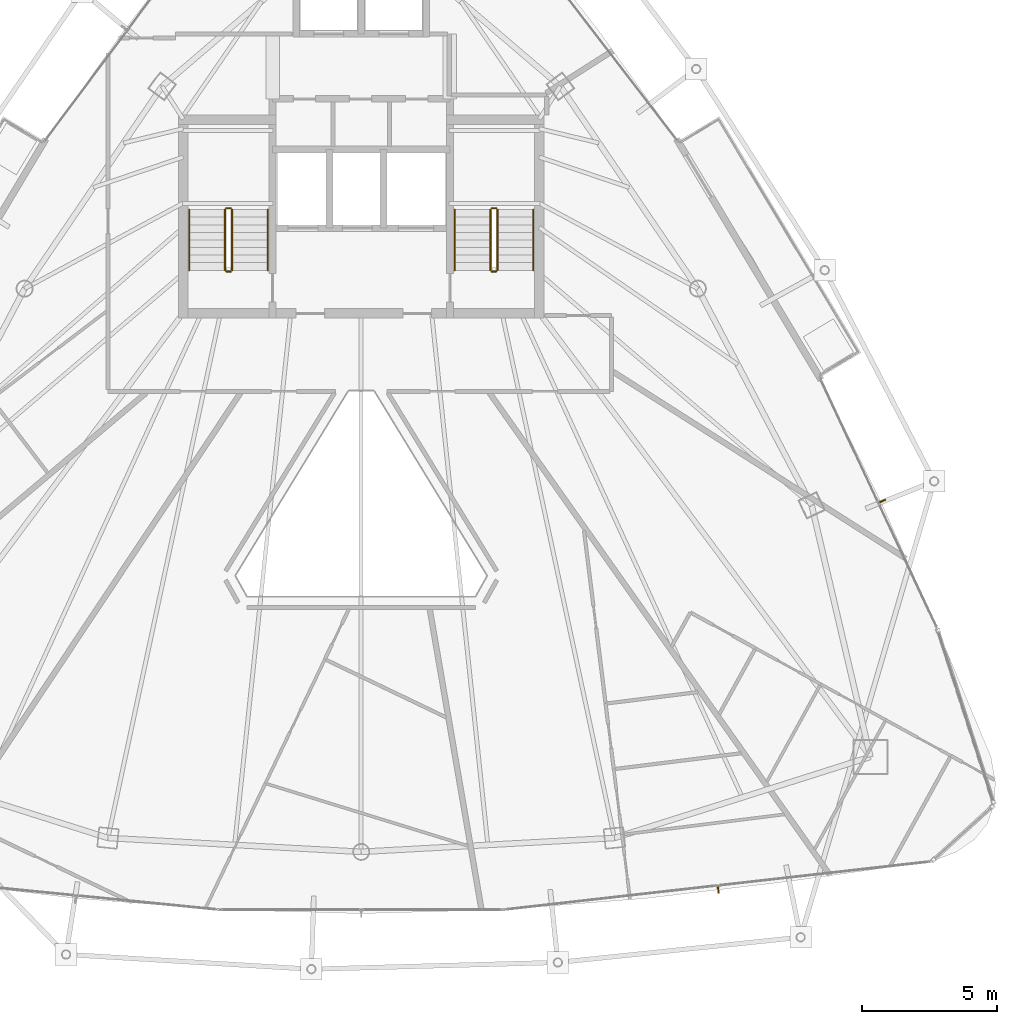
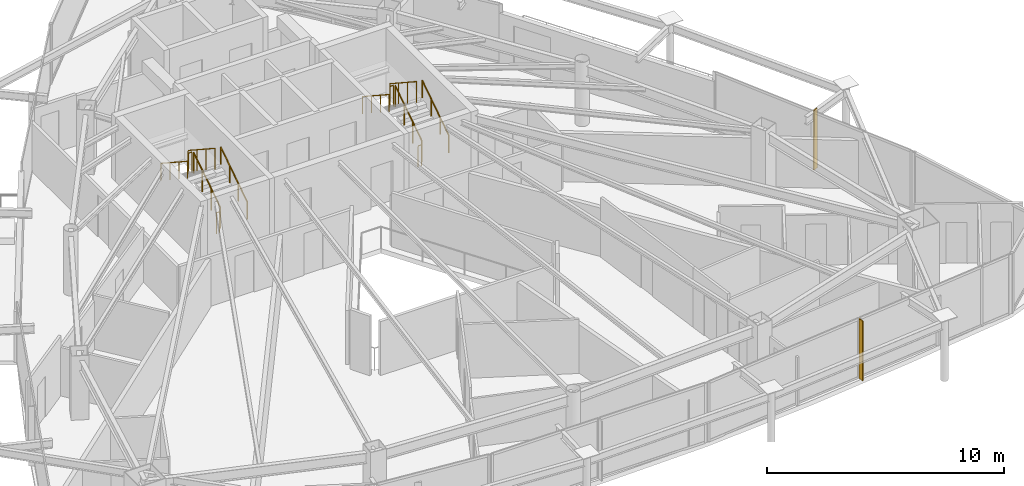
# One storey, part 32 of 33: 12 railings, 2 shading devices.
"""IFC4 building model written with IfcOpenShell, lengths in metres."""

import ifcopenshell
import ifcopenshell.guid

model = None  # the IFC model being written
_history = None  # IfcOwnerHistory: only IFC2X3 demands one
_inside = {}  # id of a spatial element -> (the spatial element, [elements in it])
_under = {}  # id of a project, library or spatial element -> (it, [spatial elements below it])
_declared = {}  # id of a project -> (the project, [libraries it declares])
_typed = {}  # id of a type object -> (the type object, [elements of that type])
_made_of = {}  # id of a material, layer set ... -> (it, [elements and type objects made of it])


def new_model(schema):
    """Start an empty IFC model of exactly this schema.

    Asked for "IFC4X3", IfcOpenShell would pick the latest addendum, in which some entities
    have other attributes; the version numbers below select the first issue.
    IFC2X3 requires an IfcOwnerHistory on every rooted entity: one is made here for all.
    """
    global model, _history
    if schema == "IFC4X3":
        model = ifcopenshell.file(schema_version=(4, 3, 0, 0))
    else:
        model = ifcopenshell.file(schema=schema)
    _inside.clear()
    _under.clear()
    _declared.clear()
    _typed.clear()
    _made_of.clear()
    _history = None
    if model.schema == "IFC2X3":
        org = make("IfcOrganization", Name="unknown")
        user = make(
            "IfcPersonAndOrganization",
            ThePerson=make("IfcPerson", FamilyName="unknown"),
            TheOrganization=org,
        )
        app = make(
            "IfcApplication",
            ApplicationDeveloper=org,
            Version="unknown",
            ApplicationFullName="unknown",
            ApplicationIdentifier="unknown",
        )
        _history = make(
            "IfcOwnerHistory",
            OwningUser=user,
            OwningApplication=app,
            ChangeAction="ADDED",
            CreationDate=0,
        )
    return model


def make(cls, **values):
    """One entity of the class cls with the attributes given. An attribute that is None is left unset."""
    return model.create_entity(
        cls, **{name: value for name, value in values.items() if value is not None}
    )


def rooted(cls, **values):
    """An entity with a GlobalId (a new one), such as an element, a storey or a relation."""
    return make(cls, GlobalId=ifcopenshell.guid.new(), OwnerHistory=_history, **values)


def si_unit(unit_type, name, prefix=None):
    """IfcSIUnit, for example si_unit("LENGTHUNIT", "METRE", prefix="MILLI")."""
    return make("IfcSIUnit", UnitType=unit_type, Prefix=prefix, Name=name)


def assignment(units):
    """IfcUnitAssignment: the units of a project."""
    return None if units is None else make("IfcUnitAssignment", Units=units)


def point(xyz):
    """IfcCartesianPoint."""
    return None if xyz is None else make("IfcCartesianPoint", Coordinates=xyz)


def direction(xyz):
    """IfcDirection."""
    return None if xyz is None else make("IfcDirection", DirectionRatios=xyz)


def frame(location, z_axis=None, x_axis=None):
    """IfcAxis2Placement3D, a coordinate frame: its origin and axes. An axis left out is left unset."""
    return make(
        "IfcAxis2Placement3D",
        Location=point(location),
        Axis=direction(z_axis),
        RefDirection=direction(x_axis),
    )


def frame_2d(location, x_axis=None):
    """IfcAxis2Placement2D, a coordinate frame in the plane: its origin and x axis."""
    return make(
        "IfcAxis2Placement2D", Location=point(location), RefDirection=direction(x_axis)
    )


def origin():
    """The frame at (0, 0, 0) with its axes left unset."""
    return frame((0.0, 0.0, 0.0))


def origin_2d():
    """The frame at (0, 0) in the plane with its x axis left unset."""
    return frame_2d((0.0, 0.0))


def place(relative_to, where):
    """IfcLocalPlacement: puts the frame where relative to a parent placement (None: the world)."""
    return make(
        "IfcLocalPlacement", PlacementRelTo=relative_to, RelativePlacement=where
    )


def context(
    kind, dimensions, precision=None, world=None, true_north=None, identifier=None
):
    """IfcGeometricRepresentationContext, for example the 3D "Model" context."""
    return make(
        "IfcGeometricRepresentationContext",
        ContextIdentifier=identifier,
        ContextType=kind,
        CoordinateSpaceDimension=dimensions,
        Precision=precision,
        WorldCoordinateSystem=world,
        TrueNorth=true_north,
    )


def subcontext(parent, identifier, kind, view, scale=None):
    """IfcGeometricRepresentationSubContext, for example "Body" below "Model"."""
    return make(
        "IfcGeometricRepresentationSubContext",
        ContextIdentifier=identifier,
        ContextType=kind,
        ParentContext=parent,
        TargetScale=scale,
        TargetView=view,
    )


def project(units=None, contexts=None):
    """IfcProject with its units and contexts."""
    return rooted(
        "IfcProject",
        Name="project",
        RepresentationContexts=contexts,
        UnitsInContext=assignment(units),
    )


def spatial(cls, under=None, at=None, **own):
    """A site, building, storey or space (cls), placed at a placement, below another one or the project."""
    s = rooted(cls, ObjectPlacement=at, **own)
    if under is not None:
        _under.setdefault(under.id(), (under, []))[1].append(s)
    return s


def profile(cls, at=None, kind="AREA", **sizes):
    """A parametric profile (cls). Its sizes go by their IFC names, for example OverallWidth=200.0."""
    return make(cls, ProfileType=kind, Position=at, **sizes)


def rectangle(**sizes):
    """IfcRectangleProfileDef."""
    return profile("IfcRectangleProfileDef", **sizes)


def circle(**sizes):
    """IfcCircleProfileDef."""
    return profile("IfcCircleProfileDef", **sizes)


def extrude(swept, where, along, depth):
    """IfcExtrudedAreaSolid: the profile swept, set in the frame where, extruded along a direction by depth."""
    return make(
        "IfcExtrudedAreaSolid",
        SweptArea=swept,
        Position=where,
        ExtrudedDirection=direction(along),
        Depth=depth,
    )


def shape(context_of_items, identifier, shape_type, items):
    """IfcShapeRepresentation: the items that make up one representation, for example the "Body"."""
    return make(
        "IfcShapeRepresentation",
        ContextOfItems=context_of_items,
        RepresentationIdentifier=identifier,
        RepresentationType=shape_type,
        Items=items,
    )


def material(Name=None, Category=None):
    """IfcMaterial."""
    return make("IfcMaterial", Name=Name, Category=Category)


def layer(
    of_material, thickness, ventilated=None, Name=None, Category=None, Priority=None
):
    """IfcMaterialLayer: one layer of a wall or slab, of a material (None: an air gap)."""
    return make(
        "IfcMaterialLayer",
        Material=of_material,
        LayerThickness=thickness,
        IsVentilated=ventilated,
        Name=Name,
        Category=Category,
        Priority=Priority,
    )


def layer_set(layers, Name=None):
    """IfcMaterialLayerSet."""
    return make("IfcMaterialLayerSet", MaterialLayers=layers, LayerSetName=Name)


def made_of(thing, what):
    """Note that an element or type object is made of a material, layer set ...; save() writes the relation."""
    if what is not None:
        _made_of.setdefault(what.id(), (what, []))[1].append(thing)
    return thing


def type_object(cls, material=None, **own):
    """A type object (cls), such as IfcWallType, which elements share."""
    return made_of(rooted(cls, **own), material)


def element(
    cls,
    number,
    at=None,
    inside=None,
    cuts=None,
    type_object=None,
    material=None,
    context=None,
    identifier="Body",
    shape_type=None,
    held_by="IfcProductDefinitionShape",
    body=None,
    shapes=None,
    **own,
):
    """One element of the class cls, such as IfcWall. Its Tag is "e" and its number.

    at: its placement. inside: the storey or other place that contains it. cuts: it is an
    opening in that element (IfcRelVoidsElement). A single representation is given by context,
    identifier, shape_type and body (its items); several are given by shapes. held_by: the class
    of the entity that holds the representations. save() writes the other relations.
    """
    e = rooted(cls, Tag="e%d" % number, ObjectPlacement=at, **own)
    if body is not None:
        shapes = [shape(context, identifier, shape_type, body)]
    if shapes is not None:
        e.Representation = make(held_by, Representations=shapes)
    if inside is not None:
        _inside.setdefault(inside.id(), (inside, []))[1].append(e)
    if cuts is not None:
        rooted(
            "IfcRelVoidsElement", RelatingBuildingElement=cuts, RelatedOpeningElement=e
        )
    if type_object is not None:
        _typed.setdefault(type_object.id(), (type_object, []))[1].append(e)
    return made_of(e, material)


def aggregate(whole, parts):
    """IfcRelAggregates: a whole, such as a stair, and the parts it consists of."""
    return rooted("IfcRelAggregates", RelatingObject=whole, RelatedObjects=parts)


def save(model, path):
    """Write the relations noted so far, then the file.

    IfcRelAggregates (storeys below a building ...), IfcRelContainedInSpatialStructure (elements
    in a storey), IfcRelDefinesByType, IfcRelAssociatesMaterial and IfcRelDeclares: one each for
    every whole, place, type object, material and project.
    """
    for whole, parts in _under.values():
        aggregate(whole, parts)
    for where, things in _inside.values():
        rooted(
            "IfcRelContainedInSpatialStructure",
            RelatedElements=things,
            RelatingStructure=where,
        )
    for kind, things in _typed.values():
        rooted("IfcRelDefinesByType", RelatedObjects=things, RelatingType=kind)
    for what, things in _made_of.values():
        rooted("IfcRelAssociatesMaterial", RelatedObjects=things, RelatingMaterial=what)
    for by, libraries in _declared.values():
        rooted("IfcRelDeclares", RelatingContext=by, RelatedDefinitions=libraries)
    model.write(path)


model = new_model("IFC4")

# Units and contexts
model_context = context("Model", 3, precision=1e-05, world=origin(), true_north=direction((0.0, 1.0)))
body_context = subcontext(model_context, "Body", "Model", "MODEL_VIEW")
ifc_project = project(units=[si_unit("LENGTHUNIT", "METRE"), si_unit("AREAUNIT", "SQUARE_METRE"), si_unit("VOLUMEUNIT", "CUBIC_METRE"), si_unit("PLANEANGLEUNIT", "RADIAN"), si_unit("MASSUNIT", "GRAM", prefix="KILO")], contexts=[model_context])

# Site, building, storey
site_placement = place(None, origin())
site = spatial("IfcSite", under=ifc_project, at=site_placement, CompositionType="ELEMENT")
building_placement = place(site_placement, origin())
building = spatial("IfcBuilding", under=site, at=building_placement, Name="Orvanel Arch Residences", CompositionType="ELEMENT")
storey_placement = place(building_placement, frame((0.0, 0.0, 212.89990234375)))
storey = spatial("IfcBuildingStorey", under=building, at=storey_placement, Name="L60", CompositionType="ELEMENT", Elevation=212.89990234375)

# Shading devices
ifc_material_1 = material(Name="Bronze-anodised aluminium AA6063-T6", Category="aluminium")
ifc_layer = layer(ifc_material_1, 0.050048828125)
ifc_layer_set = layer_set([ifc_layer], Name="Bronze-anodised aluminium AA6063-T6")
shading_device_type = type_object("IfcShadingDeviceType", Name="FIN-BRZ-260", PredefinedType="USERDEFINED", material=ifc_layer_set)
for number, where, z_axis, x_axis, name in (
    (1, (46.18505859375, 5.444091796875, 0.0), (0.0, 0.0, 1.0), (0.111468932206, -0.993767919161, 0.0), "L60 Anodised Bronze Mullion FIN 01"),
    (2, (52.241943359375, 19.79296875, 0.0), (0.0, 0.0, 1.0), (0.905568799011, 0.424199422745, 0.0), "L60 Anodised Bronze Mullion FIN 01"),
):
    element("IfcShadingDevice", number, at=place(storey_placement, frame(where, z_axis=z_axis, x_axis=x_axis)), inside=storey, type_object=shading_device_type, Name=name, ObjectType="FIN", PredefinedType="USERDEFINED", context=body_context, shape_type="SweptSolid", body=[
        extrude(rectangle(XDim=0.260009765625, YDim=0.050048828125, at=origin_2d()), origin(), (0.0, 0.0, 1.0), 3.06005859375),
    ])

# Railings
ifc_material_2 = material(Name="Structural steel AS/NZS 1163 C350L0 (Grade 350)", Category="steel")
railing_type_1 = type_object("IfcRailingType", Name="RL-STAIR-GUARD", PredefinedType="GUARDRAIL", material=ifc_material_2)
railing_1_placement = place(storey_placement, frame((28.22998046875, 28.320068359375, 0.183349609375)))
element("IfcRailing", 3, at=railing_1_placement, inside=storey, type_object=railing_type_1, Name="L60 ST-1 stair guard 1", PredefinedType="GUARDRAIL", context=body_context, shape_type="SweptSolid", body=[
    extrude(circle(Radius=0.02392578125, at=origin_2d()), frame((0.0, 0.001220703125, 1.076904296875), z_axis=(0.0, 0.836595146698, 0.547821650285), x_axis=(-1.0, 0.0, 0.0)), (0.0, 0.0, 1.0), 2.674560546875),
    extrude(circle(Radius=0.02099609375, at=origin_2d()), origin(), (0.0, 0.0, 1.0), 1.050048828125),
    extrude(circle(Radius=0.02099609375, at=origin_2d()), frame((0.0, 0.74658203125, 0.489013671875)), (0.0, 0.0, 1.0), 1.050048828125),
    extrude(circle(Radius=0.02099609375, at=origin_2d()), frame((0.0, 1.493408203125, 0.977783203125)), (0.0, 0.0, 1.0), 1.050048828125),
    extrude(circle(Radius=0.02099609375, at=origin_2d()), frame((0.0, 2.239990234375, 1.466796875)), (0.0, 0.0, 1.0), 1.050048828125),
])
railing_2_placement = place(storey_placement, frame((28.179931640625, 30.610107421875, 1.650146484375)))
element("IfcRailing", 4, at=railing_2_placement, inside=storey, type_object=railing_type_1, Name="L60 ST-1 stair guard 2", PredefinedType="GUARDRAIL", context=body_context, shape_type="SweptSolid", body=[
    extrude(circle(Radius=0.02392578125, at=origin_2d()), frame((-0.00146484375, 0.0, 1.076171875), z_axis=(-1.0, 0.0, 0.0), x_axis=(0.0, -1.0, 0.0)), (0.0, 0.0, 1.0), 0.156982421875),
    extrude(circle(Radius=0.02099609375, at=origin_2d()), origin(), (0.0, 0.0, 1.0), 1.050048828125),
    extrude(circle(Radius=0.02099609375, at=origin_2d()), frame((-0.159912109375, 0.0, 0.0)), (0.0, 0.0, 1.0), 1.050048828125),
])
railing_3_placement = place(storey_placement, frame((27.969970703125, 30.56005859375, 1.83349609375)))
element("IfcRailing", 5, at=railing_3_placement, inside=storey, type_object=railing_type_1, Name="L60 ST-1 stair guard 3", PredefinedType="GUARDRAIL", context=body_context, shape_type="SweptSolid", body=[
    extrude(circle(Radius=0.02392578125, at=origin_2d()), frame((0.0, -0.001220703125, 1.076904296875), z_axis=(0.0, -0.836636935527, 0.547757827979), x_axis=(1.0, 0.0, 0.0)), (0.0, 0.0, 1.0), 2.67431640625),
    extrude(circle(Radius=0.02099609375, at=origin_2d()), origin(), (0.0, 0.0, 1.0), 1.050048828125),
    extrude(circle(Radius=0.02099609375, at=origin_2d()), frame((0.0, -0.74658203125, 0.48876953125)), (0.0, 0.0, 1.0), 1.050048828125),
    extrude(circle(Radius=0.02099609375, at=origin_2d()), frame((0.0, -1.493408203125, 0.977783203125)), (0.0, 0.0, 1.0), 1.050048828125),
    extrude(circle(Radius=0.02099609375, at=origin_2d()), frame((0.0, -2.239990234375, 1.466552734375)), (0.0, 0.0, 1.0), 1.050048828125),
])
railing_4_placement = place(storey_placement, frame((28.179931640625, 28.27001953125, 0.0)))
element("IfcRailing", 6, at=railing_4_placement, inside=storey, type_object=railing_type_1, Name="L60 ST-1 stair guard 4", PredefinedType="GUARDRAIL", context=body_context, shape_type="SweptSolid", body=[
    extrude(circle(Radius=0.02392578125, at=origin_2d()), frame((-0.00146484375, 0.0, 1.076171875), z_axis=(-1.0, 0.0, 0.0), x_axis=(0.0, -1.0, 0.0)), (0.0, 0.0, 1.0), 0.156982421875),
    extrude(circle(Radius=0.02099609375, at=origin_2d()), origin(), (0.0, 0.0, 1.0), 1.050048828125),
    extrude(circle(Radius=0.02099609375, at=origin_2d()), frame((-0.159912109375, 0.0, 0.0)), (0.0, 0.0, 1.0), 1.050048828125),
])
railing_5_placement = place(storey_placement, frame((38.030029296875, 28.320068359375, 0.183349609375)))
element("IfcRailing", 7, at=railing_5_placement, inside=storey, type_object=railing_type_1, Name="L60 ST-2 stair guard 1", PredefinedType="GUARDRAIL", context=body_context, shape_type="SweptSolid", body=[
    extrude(circle(Radius=0.02392578125, at=origin_2d()), frame((0.0, 0.001220703125, 1.076904296875), z_axis=(0.0, 0.836595146698, 0.547821650285), x_axis=(-1.0, 0.0, 0.0)), (0.0, 0.0, 1.0), 2.674560546875),
    extrude(circle(Radius=0.02099609375, at=origin_2d()), origin(), (0.0, 0.0, 1.0), 1.050048828125),
    extrude(circle(Radius=0.02099609375, at=origin_2d()), frame((0.0, 0.74658203125, 0.489013671875)), (0.0, 0.0, 1.0), 1.050048828125),
    extrude(circle(Radius=0.02099609375, at=origin_2d()), frame((0.0, 1.493408203125, 0.977783203125)), (0.0, 0.0, 1.0), 1.050048828125),
    extrude(circle(Radius=0.02099609375, at=origin_2d()), frame((0.0, 2.239990234375, 1.466796875)), (0.0, 0.0, 1.0), 1.050048828125),
])
railing_6_placement = place(storey_placement, frame((37.97998046875, 30.610107421875, 1.650146484375)))
element("IfcRailing", 8, at=railing_6_placement, inside=storey, type_object=railing_type_1, Name="L60 ST-2 stair guard 2", PredefinedType="GUARDRAIL", context=body_context, shape_type="SweptSolid", body=[
    extrude(circle(Radius=0.02392578125, at=origin_2d()), frame((-0.00146484375, 0.0, 1.076171875), z_axis=(-1.0, 0.0, 0.0), x_axis=(0.0, -1.0, 0.0)), (0.0, 0.0, 1.0), 0.156982421875),
    extrude(circle(Radius=0.02099609375, at=origin_2d()), origin(), (0.0, 0.0, 1.0), 1.050048828125),
    extrude(circle(Radius=0.02099609375, at=origin_2d()), frame((-0.159912109375, 0.0, 0.0)), (0.0, 0.0, 1.0), 1.050048828125),
])
railing_7_placement = place(storey_placement, frame((37.77001953125, 30.56005859375, 1.83349609375)))
element("IfcRailing", 9, at=railing_7_placement, inside=storey, type_object=railing_type_1, Name="L60 ST-2 stair guard 3", PredefinedType="GUARDRAIL", context=body_context, shape_type="SweptSolid", body=[
    extrude(circle(Radius=0.02392578125, at=origin_2d()), frame((0.0, -0.001220703125, 1.076904296875), z_axis=(0.0, -0.836636935527, 0.547757827979), x_axis=(1.0, 0.0, 0.0)), (0.0, 0.0, 1.0), 2.67431640625),
    extrude(circle(Radius=0.02099609375, at=origin_2d()), origin(), (0.0, 0.0, 1.0), 1.050048828125),
    extrude(circle(Radius=0.02099609375, at=origin_2d()), frame((0.0, -0.74658203125, 0.48876953125)), (0.0, 0.0, 1.0), 1.050048828125),
    extrude(circle(Radius=0.02099609375, at=origin_2d()), frame((0.0, -1.493408203125, 0.977783203125)), (0.0, 0.0, 1.0), 1.050048828125),
    extrude(circle(Radius=0.02099609375, at=origin_2d()), frame((0.0, -2.239990234375, 1.466552734375)), (0.0, 0.0, 1.0), 1.050048828125),
])
railing_8_placement = place(storey_placement, frame((37.97998046875, 28.27001953125, 0.0)))
element("IfcRailing", 10, at=railing_8_placement, inside=storey, type_object=railing_type_1, Name="L60 ST-2 stair guard 4", PredefinedType="GUARDRAIL", context=body_context, shape_type="SweptSolid", body=[
    extrude(circle(Radius=0.02392578125, at=origin_2d()), frame((-0.00146484375, 0.0, 1.076171875), z_axis=(-1.0, 0.0, 0.0), x_axis=(0.0, -1.0, 0.0)), (0.0, 0.0, 1.0), 0.156982421875),
    extrude(circle(Radius=0.02099609375, at=origin_2d()), origin(), (0.0, 0.0, 1.0), 1.050048828125),
    extrude(circle(Radius=0.02099609375, at=origin_2d()), frame((-0.159912109375, 0.0, 0.0)), (0.0, 0.0, 1.0), 1.050048828125),
])
railing_type_2 = type_object("IfcRailingType", Name="RL-STAIR-HAND", PredefinedType="HANDRAIL", material=ifc_material_2)
railing_9_placement = place(storey_placement, frame((29.550048828125, 28.320068359375, 0.183349609375)))
element("IfcRailing", 11, at=railing_9_placement, inside=storey, type_object=railing_type_2, Name="L60 ST-1 stair handrail 1", PredefinedType="HANDRAIL", context=body_context, shape_type="SweptSolid", body=[
    extrude(circle(Radius=0.02392578125, at=origin_2d()), frame((0.0, 0.001220703125, 0.876708984375), z_axis=(0.0, 0.836595146698, 0.547821650285), x_axis=(-1.0, 0.0, 0.0)), (0.0, 0.0, 1.0), 2.674560546875),
    extrude(circle(Radius=0.02099609375, at=origin_2d()), origin(), (0.0, 0.0, 1.0), 0.849853515625),
    extrude(circle(Radius=0.02099609375, at=origin_2d()), frame((0.0, 0.74658203125, 0.489013671875)), (0.0, 0.0, 1.0), 0.849853515625),
    extrude(circle(Radius=0.02099609375, at=origin_2d()), frame((0.0, 1.493408203125, 0.977783203125)), (0.0, 0.0, 1.0), 0.849853515625),
    extrude(circle(Radius=0.02099609375, at=origin_2d()), frame((0.0, 2.239990234375, 1.466796875)), (0.0, 0.0, 1.0), 0.849853515625),
])
railing_10_placement = place(storey_placement, frame((26.64990234375, 30.56005859375, 1.83349609375)))
element("IfcRailing", 12, at=railing_10_placement, inside=storey, type_object=railing_type_2, Name="L60 ST-1 stair handrail 2", PredefinedType="HANDRAIL", context=body_context, shape_type="SweptSolid", body=[
    extrude(circle(Radius=0.02392578125, at=origin_2d()), frame((0.0, -0.001220703125, 0.876708984375), z_axis=(0.0, -0.836636935527, 0.547757827979), x_axis=(1.0, 0.0, 0.0)), (0.0, 0.0, 1.0), 2.67431640625),
    extrude(circle(Radius=0.02099609375, at=origin_2d()), origin(), (0.0, 0.0, 1.0), 0.849853515625),
    extrude(circle(Radius=0.02099609375, at=origin_2d()), frame((0.0, -0.74658203125, 0.48876953125)), (0.0, 0.0, 1.0), 0.849853515625),
    extrude(circle(Radius=0.02099609375, at=origin_2d()), frame((0.0, -1.493408203125, 0.977783203125)), (0.0, 0.0, 1.0), 0.849853515625),
    extrude(circle(Radius=0.02099609375, at=origin_2d()), frame((0.0, -2.239990234375, 1.466552734375)), (0.0, 0.0, 1.0), 0.849853515625),
])
railing_11_placement = place(storey_placement, frame((39.35009765625, 28.320068359375, 0.183349609375)))
element("IfcRailing", 13, at=railing_11_placement, inside=storey, type_object=railing_type_2, Name="L60 ST-2 stair handrail 1", PredefinedType="HANDRAIL", context=body_context, shape_type="SweptSolid", body=[
    extrude(circle(Radius=0.02392578125, at=origin_2d()), frame((0.0, 0.001220703125, 0.876708984375), z_axis=(0.0, 0.836595146698, 0.547821650285), x_axis=(-1.0, 0.0, 0.0)), (0.0, 0.0, 1.0), 2.674560546875),
    extrude(circle(Radius=0.02099609375, at=origin_2d()), origin(), (0.0, 0.0, 1.0), 0.849853515625),
    extrude(circle(Radius=0.02099609375, at=origin_2d()), frame((0.0, 0.74658203125, 0.489013671875)), (0.0, 0.0, 1.0), 0.849853515625),
    extrude(circle(Radius=0.02099609375, at=origin_2d()), frame((0.0, 1.493408203125, 0.977783203125)), (0.0, 0.0, 1.0), 0.849853515625),
    extrude(circle(Radius=0.02099609375, at=origin_2d()), frame((0.0, 2.239990234375, 1.466796875)), (0.0, 0.0, 1.0), 0.849853515625),
])
railing_12_placement = place(storey_placement, frame((36.449951171875, 30.56005859375, 1.83349609375)))
element("IfcRailing", 14, at=railing_12_placement, inside=storey, type_object=railing_type_2, Name="L60 ST-2 stair handrail 2", PredefinedType="HANDRAIL", context=body_context, shape_type="SweptSolid", body=[
    extrude(circle(Radius=0.02392578125, at=origin_2d()), frame((0.0, -0.001220703125, 0.876708984375), z_axis=(0.0, -0.836636935527, 0.547757827979), x_axis=(1.0, 0.0, 0.0)), (0.0, 0.0, 1.0), 2.67431640625),
    extrude(circle(Radius=0.02099609375, at=origin_2d()), origin(), (0.0, 0.0, 1.0), 0.849853515625),
    extrude(circle(Radius=0.02099609375, at=origin_2d()), frame((0.0, -0.74658203125, 0.48876953125)), (0.0, 0.0, 1.0), 0.849853515625),
    extrude(circle(Radius=0.02099609375, at=origin_2d()), frame((0.0, -1.493408203125, 0.977783203125)), (0.0, 0.0, 1.0), 0.849853515625),
    extrude(circle(Radius=0.02099609375, at=origin_2d()), frame((0.0, -2.239990234375, 1.466552734375)), (0.0, 0.0, 1.0), 0.849853515625),
])

save(model, "model.ifc")
